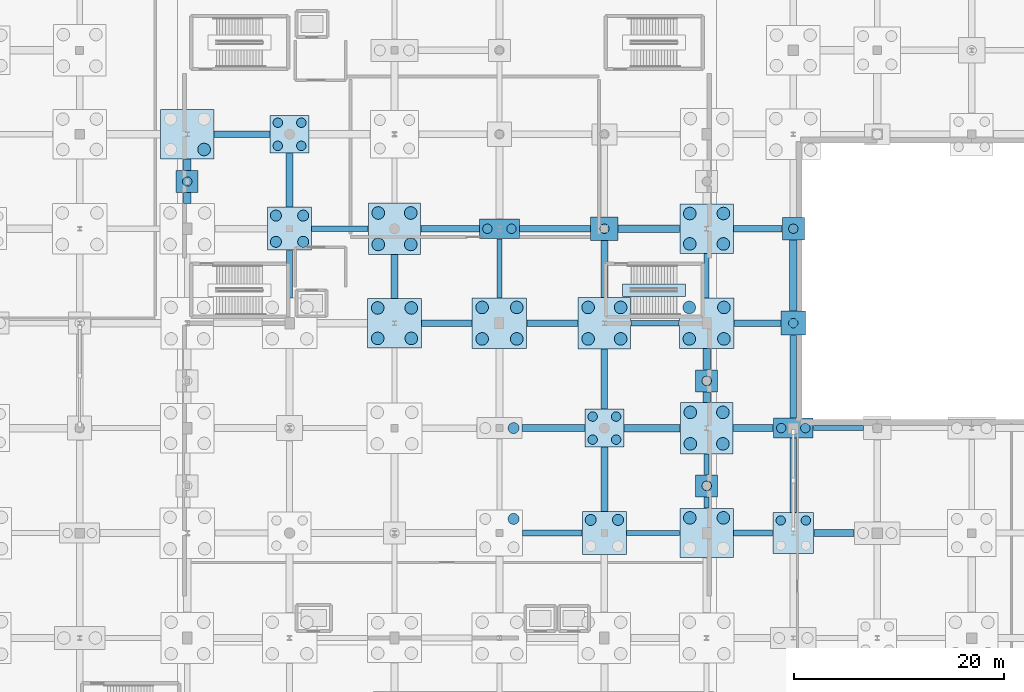
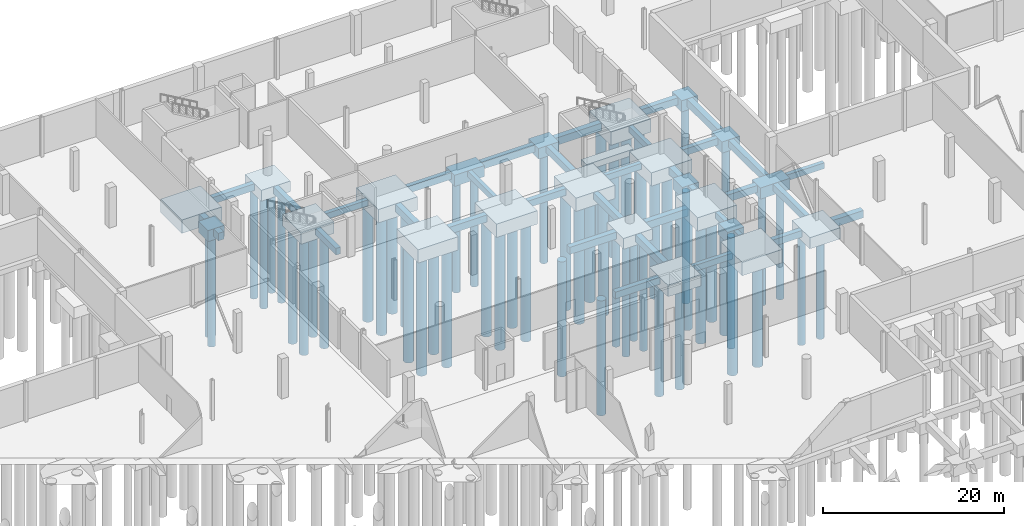
# One storey, part 9 of 60: 59 piles, 58 footings.
"""IFC4 building model written with IfcOpenShell, lengths in metres."""

from ifc_helpers import new_model, si_unit, direction, frame, origin, origin_2d, place, context, subcontext, project, spatial, rectangle, circle, extrude, material, material_profile, profile_set, type_object, element, save


model = new_model("IFC4")

# Units and contexts
model_context = context("Model", 3, precision=1e-05, world=origin(), true_north=direction((0.0, 1.0)))
body_context = subcontext(model_context, "Body", "Model", "MODEL_VIEW")
ifc_project = project(units=[si_unit("LENGTHUNIT", "METRE"), si_unit("AREAUNIT", "SQUARE_METRE"), si_unit("VOLUMEUNIT", "CUBIC_METRE"), si_unit("PLANEANGLEUNIT", "RADIAN"), si_unit("MASSUNIT", "GRAM", prefix="KILO")], contexts=[model_context])

# Site, building, storey
site_placement = place(None, origin())
site = spatial("IfcSite", under=ifc_project, at=site_placement, CompositionType="ELEMENT")
building_placement = place(site_placement, origin())
building = spatial("IfcBuilding", under=site, at=building_placement, Name="Trimount Lyric Opera House", CompositionType="ELEMENT")
storey_placement = place(building_placement, frame((0.0, 0.0, -5.39990234375)))
storey = spatial("IfcBuildingStorey", under=building, at=storey_placement, Name="B1", CompositionType="ELEMENT", Elevation=-5.39990234375)

# Footings
ifc_material_1 = material(Name="Concrete C40/50", Category="concrete")
footing_type_1 = type_object("IfcFootingType", Name="FB-01", PredefinedType="FOOTING_BEAM", material=ifc_material_1)
footing_1_placement = place(storey_placement, frame((64.260009765625, 95.925048828125, -1.60009765625), z_axis=(0.0, 0.0, 1.0), x_axis=(1.0, 0.0, 0.0)))
element("IfcFooting", 1, at=footing_1_placement, inside=storey, type_object=footing_type_1, Name="Ground tie beam Y-0164 seg 1", PredefinedType="FOOTING_BEAM", context=body_context, shape_type="SweptSolid", body=[
    extrude(rectangle(XDim=0.699951171875, YDim=1.02001953125, at=origin_2d()), origin(), (0.0, 0.0, 1.0), 1.0),
])
footing_2_placement = place(storey_placement, frame((64.260009765625, 99.10009765625, -1.60009765625), z_axis=(0.0, 0.0, 1.0), x_axis=(1.0, 0.0, 0.0)))
element("IfcFooting", 2, at=footing_2_placement, inside=storey, type_object=footing_type_1, Name="Ground tie beam Y-0164 seg 2", PredefinedType="FOOTING_BEAM", context=body_context, shape_type="SweptSolid", body=[
    extrude(rectangle(XDim=0.699951171875, YDim=1.070068359375, at=origin_2d()), origin(), (0.0, 0.0, 1.0), 1.0),
])
footing_3_placement = place(storey_placement, frame((84.0, 88.449951171875, -1.60009765625), z_axis=(0.0, 0.0, 1.0), x_axis=(1.0, 0.0, 0.0)))
element("IfcFooting", 3, at=footing_3_placement, inside=storey, type_object=footing_type_1, Name="Ground tie beam Y-0208", PredefinedType="FOOTING_BEAM", context=body_context, shape_type="SweptSolid", body=[
    extrude(rectangle(XDim=0.699951171875, YDim=4.169921875, at=origin_2d()), origin(), (0.0, 0.0, 1.0), 1.0),
])
footing_4_placement = place(storey_placement, frame((108.544921875, 74.0, -1.60009765625), z_axis=(0.0, 0.0, 1.0), x_axis=(1.0, 0.0, 0.0)))
element("IfcFooting", 4, at=footing_4_placement, inside=storey, type_object=footing_type_1, Name="Ground tie beam X-0256", PredefinedType="FOOTING_BEAM", context=body_context, shape_type="SweptSolid", body=[
    extrude(rectangle(XDim=5.360107421875, YDim=0.699951171875, at=origin_2d()), origin(), (0.0, 0.0, 1.0), 1.0),
])
footing_5_placement = place(storey_placement, frame((108.2451171875, 93.0, -1.60009765625), z_axis=(0.0, 0.0, 1.0), x_axis=(1.0, 0.0, 0.0)))
element("IfcFooting", 5, at=footing_5_placement, inside=storey, type_object=footing_type_1, Name="Ground tie beam X-0260", PredefinedType="FOOTING_BEAM", context=body_context, shape_type="SweptSolid", body=[
    extrude(rectangle(XDim=5.860107421875, YDim=0.699951171875, at=origin_2d()), origin(), (0.0, 0.0, 1.0), 1.0),
])
footing_6_placement = place(storey_placement, frame((113.739990234375, 76.949951171875, -1.60009765625), z_axis=(0.0, 0.0, 1.0), x_axis=(1.0, 0.0, 0.0)))
element("IfcFooting", 6, at=footing_6_placement, inside=storey, type_object=footing_type_1, Name="Ground tie beam Y-0280 seg 1", PredefinedType="FOOTING_BEAM", context=body_context, shape_type="SweptSolid", body=[
    extrude(rectangle(XDim=0.699951171875, YDim=0.969970703125, at=origin_2d()), origin(), (0.0, 0.0, 1.0), 1.0),
])
footing_7_placement = place(storey_placement, frame((113.739990234375, 80.574951171875, -1.60009765625), z_axis=(0.0, 0.0, 1.0), x_axis=(1.0, 0.0, 0.0)))
element("IfcFooting", 7, at=footing_7_placement, inside=storey, type_object=footing_type_1, Name="Ground tie beam Y-0280 seg 2", PredefinedType="FOOTING_BEAM", context=body_context, shape_type="SweptSolid", body=[
    extrude(rectangle(XDim=0.699951171875, YDim=2.02001953125, at=origin_2d()), origin(), (0.0, 0.0, 1.0), 1.0),
])
footing_8_placement = place(storey_placement, frame((125.887451171875, 64.0, -1.60009765625), z_axis=(0.0, 0.0, 1.0), x_axis=(1.0, 0.0, 0.0)))
element("IfcFooting", 8, at=footing_8_placement, inside=storey, type_object=footing_type_1, Name="Ground tie beam X-0300", PredefinedType="FOOTING_BEAM", context=body_context, shape_type="SweptSolid", body=[
    extrude(rectangle(XDim=3.844970703125, YDim=0.699951171875, at=origin_2d()), origin(), (0.0, 0.0, 1.0), 1.0),
])
footing_9_placement = place(storey_placement, frame((122.0, 88.550048828125, -1.60009765625), z_axis=(0.0, 0.0, 1.0), x_axis=(1.0, 0.0, 0.0)))
element("IfcFooting", 9, at=footing_9_placement, inside=storey, type_object=footing_type_1, Name="Ground tie beam Y-0304", PredefinedType="FOOTING_BEAM", context=body_context, shape_type="SweptSolid", body=[
    extrude(rectangle(XDim=0.699951171875, YDim=6.77001953125, at=origin_2d()), origin(), (0.0, 0.0, 1.0), 1.0),
])
ifc_material_2 = material(Name="Concrete C40/50", Category="concrete")
footing_type_2 = type_object("IfcFootingType", Name="FB-02", PredefinedType="FOOTING_BEAM", material=ifc_material_2)
footing_10_placement = place(storey_placement, frame((69.47998046875, 102.0, -1.5), z_axis=(0.0, 0.0, 1.0), x_axis=(1.0, 0.0, 0.0)))
element("IfcFooting", 10, at=footing_10_placement, inside=storey, type_object=footing_type_2, Name="Ground tie beam X-0165", PredefinedType="FOOTING_BEAM", context=body_context, shape_type="SweptSolid", body=[
    extrude(rectangle(XDim=5.31005859375, YDim=0.60009765625, at=origin_2d()), origin(), (0.0, 0.0, 1.0), 0.89990234375),
])
footing_11_placement = place(storey_placement, frame((74.0, 88.675048828125, -1.5), z_axis=(0.0, 0.0, 1.0), x_axis=(1.0, 0.0, 0.0)))
element("IfcFooting", 11, at=footing_11_placement, inside=storey, type_object=footing_type_2, Name="Ground tie beam Y-0185", PredefinedType="FOOTING_BEAM", context=body_context, shape_type="SweptSolid", body=[
    extrude(rectangle(XDim=0.60009765625, YDim=4.52001953125, at=origin_2d()), origin(), (0.0, 0.0, 1.0), 0.89990234375),
])
footing_12_placement = place(storey_placement, frame((89.300048828125, 93.0, -1.5), z_axis=(0.0, 0.0, 1.0), x_axis=(1.0, 0.0, 0.0)))
element("IfcFooting", 12, at=footing_12_placement, inside=storey, type_object=footing_type_2, Name="Ground tie beam X-0209", PredefinedType="FOOTING_BEAM", context=body_context, shape_type="SweptSolid", body=[
    extrude(rectangle(XDim=5.570068359375, YDim=0.60009765625, at=origin_2d()), origin(), (0.0, 0.0, 1.0), 0.89990234375),
])
footing_13_placement = place(storey_placement, frame((99.050048828125, 64.0, -1.5), z_axis=(0.0, 0.0, 1.0), x_axis=(1.0, 0.0, 0.0)))
element("IfcFooting", 13, at=footing_13_placement, inside=storey, type_object=footing_type_2, Name="Ground tie beam X-0229", PredefinedType="FOOTING_BEAM", context=body_context, shape_type="SweptSolid", body=[
    extrude(rectangle(XDim=5.669921875, YDim=0.60009765625, at=origin_2d()), origin(), (0.0, 0.0, 1.0), 0.89990234375),
])
footing_14_placement = place(storey_placement, frame((99.050048828125, 84.0, -1.5), z_axis=(0.0, 0.0, 1.0), x_axis=(1.0, 0.0, 0.0)))
element("IfcFooting", 14, at=footing_14_placement, inside=storey, type_object=footing_type_2, Name="Ground tie beam X-0233", PredefinedType="FOOTING_BEAM", context=body_context, shape_type="SweptSolid", body=[
    extrude(rectangle(XDim=4.8701171875, YDim=0.60009765625, at=origin_2d()), origin(), (0.0, 0.0, 1.0), 0.89990234375),
])
footing_15_placement = place(storey_placement, frame((104.0, 78.675048828125, -1.5), z_axis=(0.0, 0.0, 1.0), x_axis=(1.0, 0.0, 0.0)))
element("IfcFooting", 15, at=footing_15_placement, inside=storey, type_object=footing_type_2, Name="Ground tie beam Y-0257", PredefinedType="FOOTING_BEAM", context=body_context, shape_type="SweptSolid", body=[
    extrude(rectangle(XDim=0.60009765625, YDim=5.719970703125, at=origin_2d()), origin(), (0.0, 0.0, 1.0), 0.89990234375),
])
footing_16_placement = place(storey_placement, frame((118.169921875, 64.0, -1.5), z_axis=(0.0, 0.0, 1.0), x_axis=(1.0, 0.0, 0.0)))
element("IfcFooting", 16, at=footing_16_placement, inside=storey, type_object=footing_type_2, Name="Ground tie beam X-0277", PredefinedType="FOOTING_BEAM", context=body_context, shape_type="SweptSolid", body=[
    extrude(rectangle(XDim=3.72998046875, YDim=0.60009765625, at=origin_2d()), origin(), (0.0, 0.0, 1.0), 0.89990234375),
])
footing_17_placement = place(storey_placement, frame((118.594970703125, 84.0, -1.5), z_axis=(0.0, 0.0, 1.0), x_axis=(1.0, 0.0, 0.0)))
element("IfcFooting", 17, at=footing_17_placement, inside=storey, type_object=footing_type_2, Name="Ground tie beam X-0281", PredefinedType="FOOTING_BEAM", context=body_context, shape_type="SweptSolid", body=[
    extrude(rectangle(XDim=4.47998046875, YDim=0.60009765625, at=origin_2d()), origin(), (0.0, 0.0, 1.0), 0.89990234375),
])
footing_18_placement = place(storey_placement, frame((122.0, 69.5, -1.5), z_axis=(0.0, 0.0, 1.0), x_axis=(1.0, 0.0, 0.0)))
element("IfcFooting", 18, at=footing_18_placement, inside=storey, type_object=footing_type_2, Name="Ground tie beam Y-0301", PredefinedType="FOOTING_BEAM", context=body_context, shape_type="SweptSolid", body=[
    extrude(rectangle(XDim=0.60009765625, YDim=7.070068359375, at=origin_2d()), origin(), (0.0, 0.0, 1.0), 0.89990234375),
])
ifc_material_3 = material(Name="Concrete C40/50", Category="concrete")
footing_type_3 = type_object("IfcFootingType", Name="FB-03", PredefinedType="FOOTING_BEAM", material=ifc_material_3)
footing_19_placement = place(storey_placement, frame((78.800048828125, 93.0, -1.39990234375), z_axis=(0.0, 0.0, 1.0), x_axis=(1.0, 0.0, 0.0)))
element("IfcFooting", 19, at=footing_19_placement, inside=storey, type_object=footing_type_3, Name="Ground tie beam X-0186", PredefinedType="FOOTING_BEAM", context=body_context, shape_type="SweptSolid", body=[
    extrude(rectangle(XDim=5.3701171875, YDim=0.5, at=origin_2d()), origin(), (0.0, 0.0, 1.0), 0.800048828125),
])
footing_20_placement = place(storey_placement, frame((94.0, 89.22509765625, -1.39990234375), z_axis=(0.0, 0.0, 1.0), x_axis=(1.0, 0.0, 0.0)))
element("IfcFooting", 20, at=footing_20_placement, inside=storey, type_object=footing_type_3, Name="Ground tie beam Y-0234", PredefinedType="FOOTING_BEAM", context=body_context, shape_type="SweptSolid", body=[
    extrude(rectangle(XDim=0.5, YDim=5.6201171875, at=origin_2d()), origin(), (0.0, 0.0, 1.0), 0.800048828125),
])
footing_21_placement = place(storey_placement, frame((108.64501953125, 64.0, -1.39990234375), z_axis=(0.0, 0.0, 1.0), x_axis=(1.0, 0.0, 0.0)))
element("IfcFooting", 21, at=footing_21_placement, inside=storey, type_object=footing_type_3, Name="Ground tie beam X-0254", PredefinedType="FOOTING_BEAM", context=body_context, shape_type="SweptSolid", body=[
    extrude(rectangle(XDim=5.06005859375, YDim=0.5, at=origin_2d()), origin(), (0.0, 0.0, 1.0), 0.800048828125),
])
footing_22_placement = place(storey_placement, frame((108.820068359375, 84.0, -1.39990234375), z_axis=(0.0, 0.0, 1.0), x_axis=(1.0, 0.0, 0.0)))
element("IfcFooting", 22, at=footing_22_placement, inside=storey, type_object=footing_type_3, Name="Ground tie beam X-0258", PredefinedType="FOOTING_BEAM", context=body_context, shape_type="SweptSolid", body=[
    extrude(rectangle(XDim=4.610107421875, YDim=0.5, at=origin_2d()), origin(), (0.0, 0.0, 1.0), 0.800048828125),
])
footing_23_placement = place(storey_placement, frame((113.739990234375, 66.89990234375, -1.39990234375), z_axis=(0.0, 0.0, 1.0), x_axis=(1.0, 0.0, 0.0)))
element("IfcFooting", 23, at=footing_23_placement, inside=storey, type_object=footing_type_3, Name="Ground tie beam Y-0278 seg 1", PredefinedType="FOOTING_BEAM", context=body_context, shape_type="SweptSolid", body=[
    extrude(rectangle(XDim=0.5, YDim=1.070068359375, at=origin_2d()), origin(), (0.0, 0.0, 1.0), 0.800048828125),
])
footing_24_placement = place(storey_placement, frame((113.739990234375, 70.550048828125, -1.39990234375), z_axis=(0.0, 0.0, 1.0), x_axis=(1.0, 0.0, 0.0)))
element("IfcFooting", 24, at=footing_24_placement, inside=storey, type_object=footing_type_3, Name="Ground tie beam Y-0278 seg 2", PredefinedType="FOOTING_BEAM", context=body_context, shape_type="SweptSolid", body=[
    extrude(rectangle(XDim=0.5, YDim=1.969970703125, at=origin_2d()), origin(), (0.0, 0.0, 1.0), 0.800048828125),
])
footing_25_placement = place(storey_placement, frame((113.739990234375, 88.52490234375, -1.39990234375), z_axis=(0.0, 0.0, 1.0), x_axis=(1.0, 0.0, 0.0)))
element("IfcFooting", 25, at=footing_25_placement, inside=storey, type_object=footing_type_3, Name="Ground tie beam Y-0282", PredefinedType="FOOTING_BEAM", context=body_context, shape_type="SweptSolid", body=[
    extrude(rectangle(XDim=0.5, YDim=4.219970703125, at=origin_2d()), origin(), (0.0, 0.0, 1.0), 0.800048828125),
])
footing_26_placement = place(storey_placement, frame((126.300048828125, 74.0, -1.39990234375), z_axis=(0.0, 0.0, 1.0), x_axis=(1.0, 0.0, 0.0)))
element("IfcFooting", 26, at=footing_26_placement, inside=storey, type_object=footing_type_3, Name="Ground tie beam X-0302", PredefinedType="FOOTING_BEAM", context=body_context, shape_type="SweptSolid", body=[
    extrude(rectangle(XDim=4.77001953125, YDim=0.5, at=origin_2d()), origin(), (0.0, 0.0, 1.0), 0.800048828125),
])
ifc_material_4 = material(Name="Concrete C40/50", Category="concrete")
footing_type_4 = type_object("IfcFootingType", Name="FB-04", PredefinedType="FOOTING_BEAM", material=ifc_material_4)
footing_27_placement = place(storey_placement, frame((74.0, 97.625, -1.55029296875), z_axis=(0.0, 0.0, 1.0), x_axis=(1.0, 0.0, 0.0)))
element("IfcFooting", 27, at=footing_27_placement, inside=storey, type_object=footing_type_4, Name="Ground tie beam Y-0187", PredefinedType="FOOTING_BEAM", context=body_context, shape_type="SweptSolid", body=[
    extrude(rectangle(XDim=0.64990234375, YDim=5.1201171875, at=origin_2d()), origin(), (0.0, 0.0, 1.0), 0.949951171875),
])
footing_28_placement = place(storey_placement, frame((88.97509765625, 84.0, -1.55029296875), z_axis=(0.0, 0.0, 1.0), x_axis=(1.0, 0.0, 0.0)))
element("IfcFooting", 28, at=footing_28_placement, inside=storey, type_object=footing_type_4, Name="Ground tie beam X-0207", PredefinedType="FOOTING_BEAM", context=body_context, shape_type="SweptSolid", body=[
    extrude(rectangle(XDim=4.820068359375, YDim=0.64990234375, at=origin_2d()), origin(), (0.0, 0.0, 1.0), 0.949951171875),
])
footing_29_placement = place(storey_placement, frame((99.14990234375, 74.0, -1.55029296875), z_axis=(0.0, 0.0, 1.0), x_axis=(1.0, 0.0, 0.0)))
element("IfcFooting", 29, at=footing_29_placement, inside=storey, type_object=footing_type_4, Name="Ground tie beam X-0231", PredefinedType="FOOTING_BEAM", context=body_context, shape_type="SweptSolid", body=[
    extrude(rectangle(XDim=5.969970703125, YDim=0.64990234375, at=origin_2d()), origin(), (0.0, 0.0, 1.0), 0.949951171875),
])
footing_30_placement = place(storey_placement, frame((99.300048828125, 93.0, -1.55029296875), z_axis=(0.0, 0.0, 1.0), x_axis=(1.0, 0.0, 0.0)))
element("IfcFooting", 30, at=footing_30_placement, inside=storey, type_object=footing_type_4, Name="Ground tie beam X-0235", PredefinedType="FOOTING_BEAM", context=body_context, shape_type="SweptSolid", body=[
    extrude(rectangle(XDim=6.77001953125, YDim=0.64990234375, at=origin_2d()), origin(), (0.0, 0.0, 1.0), 0.949951171875),
])
footing_31_placement = place(storey_placement, frame((104.0, 69.125, -1.55029296875), z_axis=(0.0, 0.0, 1.0), x_axis=(1.0, 0.0, 0.0)))
element("IfcFooting", 31, at=footing_31_placement, inside=storey, type_object=footing_type_4, Name="Ground tie beam Y-0255", PredefinedType="FOOTING_BEAM", context=body_context, shape_type="SweptSolid", body=[
    extrude(rectangle(XDim=0.64990234375, YDim=6.1201171875, at=origin_2d()), origin(), (0.0, 0.0, 1.0), 0.949951171875),
])
footing_32_placement = place(storey_placement, frame((104.0, 89.175048828125, -1.55029296875), z_axis=(0.0, 0.0, 1.0), x_axis=(1.0, 0.0, 0.0)))
element("IfcFooting", 32, at=footing_32_placement, inside=storey, type_object=footing_type_4, Name="Ground tie beam Y-0259", PredefinedType="FOOTING_BEAM", context=body_context, shape_type="SweptSolid", body=[
    extrude(rectangle(XDim=0.64990234375, YDim=5.419921875, at=origin_2d()), origin(), (0.0, 0.0, 1.0), 0.949951171875),
])
footing_33_placement = place(storey_placement, frame((118.169921875, 74.0, -1.55029296875), z_axis=(0.0, 0.0, 1.0), x_axis=(1.0, 0.0, 0.0)))
element("IfcFooting", 33, at=footing_33_placement, inside=storey, type_object=footing_type_4, Name="Ground tie beam X-0279", PredefinedType="FOOTING_BEAM", context=body_context, shape_type="SweptSolid", body=[
    extrude(rectangle(XDim=3.830078125, YDim=0.64990234375, at=origin_2d()), origin(), (0.0, 0.0, 1.0), 0.949951171875),
])
footing_34_placement = place(storey_placement, frame((118.6201171875, 93.0, -1.55029296875), z_axis=(0.0, 0.0, 1.0), x_axis=(1.0, 0.0, 0.0)))
element("IfcFooting", 34, at=footing_34_placement, inside=storey, type_object=footing_type_4, Name="Ground tie beam X-0283", PredefinedType="FOOTING_BEAM", context=body_context, shape_type="SweptSolid", body=[
    extrude(rectangle(XDim=4.6298828125, YDim=0.64990234375, at=origin_2d()), origin(), (0.0, 0.0, 1.0), 0.949951171875),
])
footing_35_placement = place(storey_placement, frame((122.0, 78.89990234375, -1.55029296875), z_axis=(0.0, 0.0, 1.0), x_axis=(1.0, 0.0, 0.0)))
element("IfcFooting", 35, at=footing_35_placement, inside=storey, type_object=footing_type_4, Name="Ground tie beam Y-0303", PredefinedType="FOOTING_BEAM", context=body_context, shape_type="SweptSolid", body=[
    extrude(rectangle(XDim=0.64990234375, YDim=7.8701171875, at=origin_2d()), origin(), (0.0, 0.0, 1.0), 0.949951171875),
])
ifc_material_5 = material(Name="Concrete C40/50", Category="concrete")
footing_type_5 = type_object("IfcFootingType", Name="PC-06", PredefinedType="PILE_CAP", material=ifc_material_5)
footing_36_placement = place(storey_placement, frame((122.0, 64.0, -2.10009765625), z_axis=(0.0, 0.0, 1.0), x_axis=(1.0, 0.0, 0.0)))
element("IfcFooting", 36, at=footing_36_placement, inside=storey, type_object=footing_type_5, Name="Pile cap 14/H", PredefinedType="PILE_CAP", context=body_context, shape_type="SweptSolid", body=[
    extrude(rectangle(XDim=3.89990234375, YDim=3.89990234375, at=origin_2d()), origin(), (0.0, 0.0, 1.0), 1.5),
])
ifc_material_6 = material(Name="Concrete C40/50", Category="concrete")
footing_type_6 = type_object("IfcFootingType", Name="PC-07", PredefinedType="PILE_CAP", material=ifc_material_6)
for number, where, z_axis, x_axis, name in (
    (37, (94.0, 93.0, -2.10009765625), (0.0, 0.0, 1.0), (1.0, 0.0, 0.0), "Pile cap 11/L"),
    (38, (122.0, 74.0, -2.10009765625), (0.0, 0.0, 1.0), (1.0, 0.0, 0.0), "Pile cap 14/J"),
):
    element("IfcFooting", number, at=place(storey_placement, frame(where, z_axis=z_axis, x_axis=x_axis)), inside=storey, type_object=footing_type_6, Name=name, PredefinedType="PILE_CAP", context=body_context, shape_type="SweptSolid", body=[
        extrude(rectangle(XDim=3.800048828125, YDim=1.89990234375, at=origin_2d()), origin(), (0.0, 0.0, 1.0), 1.5),
    ])
ifc_material_7 = material(Name="Concrete C40/50", Category="concrete")
footing_type_7 = type_object("IfcFootingType", Name="PC-08", PredefinedType="PILE_CAP", material=ifc_material_7)
footing_37_placement = place(storey_placement, frame((122.0, 84.0, -2.10009765625), z_axis=(0.0, 0.0, 1.0), x_axis=(1.0, 0.0, 0.0)))
element("IfcFooting", 39, at=footing_37_placement, inside=storey, type_object=footing_type_7, Name="Pile cap 14/K", PredefinedType="PILE_CAP", context=body_context, shape_type="SweptSolid", body=[
    extrude(rectangle(XDim=2.300048828125, YDim=2.300048828125, at=origin_2d()), origin(), (0.0, 0.0, 1.0), 1.5),
])
ifc_material_8 = material(Name="Concrete C40/50", Category="concrete")
footing_type_8 = type_object("IfcFootingType", Name="PC-09", PredefinedType="PILE_CAP", material=ifc_material_8)
for number, where, z_axis, x_axis, name in (
    (40, (122.0, 93.0, -2.10009765625), (0.0, 0.0, 1.0), (1.0, 0.0, 0.0), "Pile cap 14/L"),
    (41, (113.75, 68.5, -2.10009765625), (0.0, 0.0, 1.0), (1.0, 0.0, 0.0), "Pilaster pile cap E01"),
    (42, (113.75, 78.5, -2.10009765625), (0.0, 0.0, 1.0), (1.0, 0.0, 0.0), "Pilaster pile cap E02"),
    (43, (64.25, 97.5, -2.10009765625), (0.0, 0.0, 1.0), (1.0, 0.0, 0.0), "Pilaster pile cap W04"),
):
    element("IfcFooting", number, at=place(storey_placement, frame(where, z_axis=z_axis, x_axis=x_axis)), inside=storey, type_object=footing_type_8, Name=name, PredefinedType="PILE_CAP", context=body_context, shape_type="SweptSolid", body=[
        extrude(rectangle(XDim=2.10009765625, YDim=2.10009765625, at=origin_2d()), origin(), (0.0, 0.0, 1.0), 1.5),
    ])
ifc_material_9 = material(Name="Concrete C40/50", Category="concrete")
footing_type_9 = type_object("IfcFootingType", Name="PC-10", PredefinedType="PILE_CAP", material=ifc_material_9)
for number, where, z_axis, x_axis, name in (
    (44, (94.0, 84.0, -2.39990234375), (0.0, 0.0, 1.0), (1.0, 0.0, 0.0), "Pile cap 11/K"),
    (45, (113.739990234375, 84.0, -2.39990234375), (0.0, 0.0, 1.0), (1.0, 0.0, 0.0), "Pile cap 13/K"),
):
    element("IfcFooting", number, at=place(storey_placement, frame(where, z_axis=z_axis, x_axis=x_axis)), inside=storey, type_object=footing_type_9, Name=name, PredefinedType="PILE_CAP", context=body_context, shape_type="SweptSolid", body=[
        extrude(rectangle(XDim=5.199951171875, YDim=4.800048828125, at=origin_2d()), origin(), (0.0, 0.0, 1.0), 1.800048828125),
    ])
ifc_material_10 = material(Name="Concrete C40/50", Category="concrete")
footing_type_10 = type_object("IfcFootingType", Name="PC-11", PredefinedType="PILE_CAP", material=ifc_material_10)
for number, where, z_axis, x_axis, name in (
    (46, (64.260009765625, 102.0, -2.39990234375), (0.0, 0.0, 1.0), (1.0, 0.0, 0.0), "Pile cap 8/M"),
    (47, (84.0, 84.0, -2.39990234375), (0.0, 0.0, 1.0), (1.0, 0.0, 0.0), "Pile cap 10/K"),
    (48, (113.739990234375, 64.0, -2.39990234375), (0.0, 0.0, 1.0), (1.0, 0.0, 0.0), "Pile cap 13/H"),
    (49, (113.739990234375, 93.0, -2.39990234375), (0.0, 0.0, 1.0), (1.0, 0.0, 0.0), "Pile cap 13/L"),
):
    element("IfcFooting", number, at=place(storey_placement, frame(where, z_axis=z_axis, x_axis=x_axis)), inside=storey, type_object=footing_type_10, Name=name, PredefinedType="PILE_CAP", context=body_context, shape_type="SweptSolid", body=[
        extrude(rectangle(XDim=5.10009765625, YDim=4.699951171875, at=origin_2d()), origin(), (0.0, 0.0, 1.0), 1.800048828125),
    ])
ifc_material_11 = material(Name="Concrete C40/50", Category="concrete")
footing_type_11 = type_object("IfcFootingType", Name="PC-12", PredefinedType="PILE_CAP", material=ifc_material_11)
for number, where, z_axis, x_axis, name in (
    (50, (84.0, 93.0, -2.39990234375), (0.0, 0.0, 1.0), (1.0, 0.0, 0.0), "Pile cap 10/L"),
    (51, (104.0, 84.0, -2.39990234375), (0.0, 0.0, 1.0), (1.0, 0.0, 0.0), "Pile cap 12/K"),
    (52, (113.739990234375, 74.0, -2.39990234375), (0.0, 0.0, 1.0), (1.0, 0.0, 0.0), "Pile cap 13/J"),
):
    element("IfcFooting", number, at=place(storey_placement, frame(where, z_axis=z_axis, x_axis=x_axis)), inside=storey, type_object=footing_type_11, Name=name, PredefinedType="PILE_CAP", context=body_context, shape_type="SweptSolid", body=[
        extrude(rectangle(XDim=5.0, YDim=4.89990234375, at=origin_2d()), origin(), (0.0, 0.0, 1.0), 1.800048828125),
    ])
ifc_material_12 = material(Name="Concrete C40/50", Category="concrete")
footing_type_12 = type_object("IfcFootingType", Name="PC-18", PredefinedType="PILE_CAP", material=ifc_material_12)
for number, where, z_axis, x_axis, name in (
    (53, (74.0, 93.0, -2.14990234375), (0.0, 0.0, 1.0), (1.0, 0.0, 0.0), "Pile cap 9/L"),
    (54, (104.0, 64.0, -2.14990234375), (0.0, 0.0, 1.0), (1.0, 0.0, 0.0), "Pile cap 12/H"),
):
    element("IfcFooting", number, at=place(storey_placement, frame(where, z_axis=z_axis, x_axis=x_axis)), inside=storey, type_object=footing_type_12, Name=name, PredefinedType="PILE_CAP", context=body_context, shape_type="SweptSolid", body=[
        extrude(rectangle(XDim=4.199951171875, YDim=4.10009765625, at=origin_2d()), origin(), (0.0, 0.0, 1.0), 1.550048828125),
    ])
ifc_material_13 = material(Name="Concrete C40/50", Category="concrete")
footing_type_13 = type_object("IfcFootingType", Name="PC-19", PredefinedType="PILE_CAP", material=ifc_material_13)
for number, where, z_axis, x_axis, name in (
    (55, (74.0, 102.0, -2.05029296875), (0.0, 0.0, 1.0), (1.0, 0.0, 0.0), "Pile cap 9/M"),
    (56, (104.0, 74.0, -2.05029296875), (0.0, 0.0, 1.0), (1.0, 0.0, 0.0), "Pile cap 12/J"),
):
    element("IfcFooting", number, at=place(storey_placement, frame(where, z_axis=z_axis, x_axis=x_axis)), inside=storey, type_object=footing_type_13, Name=name, PredefinedType="PILE_CAP", context=body_context, shape_type="SweptSolid", body=[
        extrude(rectangle(XDim=3.699951171875, YDim=3.60009765625, at=origin_2d()), origin(), (0.0, 0.0, 1.0), 1.449951171875),
    ])
ifc_material_14 = material(Name="Concrete C40/50", Category="concrete")
footing_type_14 = type_object("IfcFootingType", Name="PC-21", PredefinedType="PILE_CAP", material=ifc_material_14)
footing_38_placement = place(storey_placement, frame((104.0, 93.0, -2.05029296875), z_axis=(0.0, 0.0, 1.0), x_axis=(1.0, 0.0, 0.0)))
element("IfcFooting", 57, at=footing_38_placement, inside=storey, type_object=footing_type_14, Name="Pile cap 12/L", PredefinedType="PILE_CAP", context=body_context, shape_type="SweptSolid", body=[
    extrude(rectangle(XDim=2.60009765625, YDim=2.199951171875, at=origin_2d()), origin(), (0.0, 0.0, 1.0), 1.449951171875),
])

# Piles
ifc_material_15 = material(Name="Concrete C40/50", Category="concrete")
ifc_material_profile_1 = material_profile(ifc_material_15, circle(Radius=0.52490234375, at=origin_2d()), Name="PILE-D1050")
ifc_profile_set_1 = profile_set([ifc_material_profile_1], Name="Concrete C40/50")
pile_type_1 = type_object("IfcPileType", Name="PL-1050", PredefinedType="BORED", material=ifc_profile_set_1)
for number, where, z_axis, x_axis, name in (
    (58, (72.699951171875, 91.75, -2.050048828125), (0.0, 0.0, -1.0), (1.0, 0.0, 0.0), "Bored pile 0326"),
    (59, (75.300048828125, 91.75, -2.050048828125), (0.0, 0.0, -1.0), (1.0, 0.0, 0.0), "Bored pile 0327"),
    (60, (72.699951171875, 94.25, -2.050048828125), (0.0, 0.0, -1.0), (1.0, 0.0, 0.0), "Bored pile 0328"),
    (61, (75.300048828125, 94.25, -2.050048828125), (0.0, 0.0, -1.0), (1.0, 0.0, 0.0), "Bored pile 0329"),
    (62, (95.35009765625, 65.35009765625, -2.10009765625), (0.0, 0.0, -1.0), (1.0, 0.0, 0.0), "Bored pile 0402"),
    (63, (95.35009765625, 74.0, -2.10009765625), (0.0, 0.0, -1.0), (1.0, 0.0, 0.0), "Bored pile 0404"),
    (64, (102.699951171875, 65.25, -2.050048828125), (0.0, 0.0, -1.0), (1.0, 0.0, 0.0), "Bored pile 0442"),
    (65, (105.300048828125, 65.25, -2.050048828125), (0.0, 0.0, -1.0), (1.0, 0.0, 0.0), "Bored pile 0443"),
):
    element("IfcPile", number, at=place(storey_placement, frame(where, z_axis=z_axis, x_axis=x_axis)), inside=storey, type_object=pile_type_1, Name=name, PredefinedType="BORED", context=body_context, shape_type="SweptSolid", body=[
        extrude(circle(Radius=0.52490234375, at=origin_2d()), origin(), (0.0, 0.0, 1.0), 15.5),
    ])
ifc_material_16 = material(Name="Concrete C40/50", Category="concrete")
ifc_material_profile_2 = material_profile(ifc_material_16, circle(Radius=0.60009765625, at=origin_2d()), Name="PILE-D1200")
ifc_profile_set_2 = profile_set([ifc_material_profile_2], Name="Concrete C40/50")
pile_type_2 = type_object("IfcPileType", Name="PL-1200", PredefinedType="BORED", material=ifc_profile_set_2)
for number, where, z_axis, x_axis, name in (
    (66, (65.860107421875, 100.550048828125, -2.300048828125), (0.0, 0.0, -1.0), (1.0, 0.0, 0.0), "Bored pile 0288"),
    (67, (82.39990234375, 82.550048828125, -2.300048828125), (0.0, 0.0, -1.0), (1.0, 0.0, 0.0), "Bored pile 0361"),
    (68, (85.60009765625, 82.550048828125, -2.300048828125), (0.0, 0.0, -1.0), (1.0, 0.0, 0.0), "Bored pile 0362"),
    (69, (82.39990234375, 85.449951171875, -2.300048828125), (0.0, 0.0, -1.0), (1.0, 0.0, 0.0), "Bored pile 0363"),
    (70, (85.60009765625, 85.449951171875, -2.300048828125), (0.0, 0.0, -1.0), (1.0, 0.0, 0.0), "Bored pile 0364"),
    (71, (82.449951171875, 91.5, -2.300048828125), (0.0, 0.0, -1.0), (1.0, 0.0, 0.0), "Bored pile 0365"),
    (72, (85.550048828125, 91.5, -2.300048828125), (0.0, 0.0, -1.0), (1.0, 0.0, 0.0), "Bored pile 0366"),
    (73, (82.449951171875, 94.5, -2.300048828125), (0.0, 0.0, -1.0), (1.0, 0.0, 0.0), "Bored pile 0367"),
    (74, (85.550048828125, 94.5, -2.300048828125), (0.0, 0.0, -1.0), (1.0, 0.0, 0.0), "Bored pile 0368"),
    (75, (92.35009765625, 82.5, -2.300048828125), (0.0, 0.0, -1.0), (1.0, 0.0, 0.0), "Bored pile 0405"),
    (76, (95.64990234375, 82.5, -2.300048828125), (0.0, 0.0, -1.0), (1.0, 0.0, 0.0), "Bored pile 0406"),
    (77, (92.35009765625, 85.5, -2.300048828125), (0.0, 0.0, -1.0), (1.0, 0.0, 0.0), "Bored pile 0407"),
    (78, (95.64990234375, 85.5, -2.300048828125), (0.0, 0.0, -1.0), (1.0, 0.0, 0.0), "Bored pile 0408"),
    (79, (102.449951171875, 82.5, -2.300048828125), (0.0, 0.0, -1.0), (1.0, 0.0, 0.0), "Bored pile 0448"),
    (80, (105.550048828125, 82.5, -2.300048828125), (0.0, 0.0, -1.0), (1.0, 0.0, 0.0), "Bored pile 0449"),
    (81, (102.449951171875, 85.5, -2.300048828125), (0.0, 0.0, -1.0), (1.0, 0.0, 0.0), "Bored pile 0450"),
    (82, (105.550048828125, 85.5, -2.300048828125), (0.0, 0.0, -1.0), (1.0, 0.0, 0.0), "Bored pile 0451"),
    (83, (112.139892578125, 65.449951171875, -2.300048828125), (0.0, 0.0, -1.0), (1.0, 0.0, 0.0), "Bored pile 0478"),
    (84, (115.340087890625, 65.449951171875, -2.300048828125), (0.0, 0.0, -1.0), (1.0, 0.0, 0.0), "Bored pile 0479"),
    (85, (112.18994140625, 72.5, -2.300048828125), (0.0, 0.0, -1.0), (1.0, 0.0, 0.0), "Bored pile 0480"),
    (86, (115.2900390625, 72.5, -2.300048828125), (0.0, 0.0, -1.0), (1.0, 0.0, 0.0), "Bored pile 0481"),
    (87, (112.18994140625, 75.5, -2.300048828125), (0.0, 0.0, -1.0), (1.0, 0.0, 0.0), "Bored pile 0482"),
    (88, (115.2900390625, 75.5, -2.300048828125), (0.0, 0.0, -1.0), (1.0, 0.0, 0.0), "Bored pile 0483"),
    (89, (112.090087890625, 82.5, -2.300048828125), (0.0, 0.0, -1.0), (1.0, 0.0, 0.0), "Bored pile 0484"),
    (90, (115.389892578125, 82.5, -2.300048828125), (0.0, 0.0, -1.0), (1.0, 0.0, 0.0), "Bored pile 0485"),
    (91, (112.090087890625, 85.5, -2.300048828125), (0.0, 0.0, -1.0), (1.0, 0.0, 0.0), "Bored pile 0486"),
    (92, (115.389892578125, 85.5, -2.300048828125), (0.0, 0.0, -1.0), (1.0, 0.0, 0.0), "Bored pile 0487"),
    (93, (112.139892578125, 91.550048828125, -2.300048828125), (0.0, 0.0, -1.0), (1.0, 0.0, 0.0), "Bored pile 0488"),
    (94, (115.340087890625, 91.550048828125, -2.300048828125), (0.0, 0.0, -1.0), (1.0, 0.0, 0.0), "Bored pile 0489"),
    (95, (112.139892578125, 94.449951171875, -2.300048828125), (0.0, 0.0, -1.0), (1.0, 0.0, 0.0), "Bored pile 0490"),
    (96, (115.340087890625, 94.449951171875, -2.300048828125), (0.0, 0.0, -1.0), (1.0, 0.0, 0.0), "Bored pile 0491"),
):
    element("IfcPile", number, at=place(storey_placement, frame(where, z_axis=z_axis, x_axis=x_axis)), inside=storey, type_object=pile_type_2, Name=name, PredefinedType="BORED", context=body_context, shape_type="SweptSolid", body=[
        extrude(circle(Radius=0.60009765625, at=origin_2d()), origin(), (0.0, 0.0, 1.0), 15.800048828125),
    ])
ifc_material_17 = material(Name="Concrete C40/50", Category="concrete")
ifc_material_profile_3 = material_profile(ifc_material_17, circle(Radius=0.449951171875, at=origin_2d()), Name="PILE-D900")
ifc_profile_set_3 = profile_set([ifc_material_profile_3], Name="Concrete C40/50")
pile_type_3 = type_object("IfcPileType", Name="PL-900", PredefinedType="BORED", material=ifc_profile_set_3)
for number, where, z_axis, x_axis, name in (
    (97, (72.8798828125, 100.89990234375, -1.9501953125), (0.0, 0.0, -1.0), (1.0, 0.0, 0.0), "Bored pile 0330"),
    (98, (75.1201171875, 100.89990234375, -1.9501953125), (0.0, 0.0, -1.0), (1.0, 0.0, 0.0), "Bored pile 0331"),
    (99, (72.8798828125, 103.10009765625, -1.9501953125), (0.0, 0.0, -1.0), (1.0, 0.0, 0.0), "Bored pile 0332"),
    (100, (75.1201171875, 103.10009765625, -1.9501953125), (0.0, 0.0, -1.0), (1.0, 0.0, 0.0), "Bored pile 0333"),
    (101, (92.85009765625, 93.0, -2.0), (0.0, 0.0, -1.0), (1.0, 0.0, 0.0), "Bored pile 0409"),
    (102, (95.14990234375, 93.0, -2.0), (0.0, 0.0, -1.0), (1.0, 0.0, 0.0), "Bored pile 0410"),
    (103, (102.8798828125, 72.89990234375, -1.9501953125), (0.0, 0.0, -1.0), (1.0, 0.0, 0.0), "Bored pile 0444"),
    (104, (105.1201171875, 72.89990234375, -1.9501953125), (0.0, 0.0, -1.0), (1.0, 0.0, 0.0), "Bored pile 0445"),
    (105, (102.8798828125, 75.10009765625, -1.9501953125), (0.0, 0.0, -1.0), (1.0, 0.0, 0.0), "Bored pile 0446"),
    (106, (105.1201171875, 75.10009765625, -1.9501953125), (0.0, 0.0, -1.0), (1.0, 0.0, 0.0), "Bored pile 0447"),
    (107, (104.0, 93.0, -1.9501953125), (0.0, 0.0, -1.0), (1.0, 0.0, 0.0), "Bored pile 0452"),
    (108, (120.800048828125, 65.199951171875, -2.0), (0.0, 0.0, -1.0), (1.0, 0.0, 0.0), "Bored pile 0520"),
    (109, (123.199951171875, 65.199951171875, -2.0), (0.0, 0.0, -1.0), (1.0, 0.0, 0.0), "Bored pile 0521"),
    (110, (120.85009765625, 74.0, -2.0), (0.0, 0.0, -1.0), (1.0, 0.0, 0.0), "Bored pile 0522"),
    (111, (123.14990234375, 74.0, -2.0), (0.0, 0.0, -1.0), (1.0, 0.0, 0.0), "Bored pile 0523"),
    (112, (122.0, 84.0, -2.0), (0.0, 0.0, -1.0), (1.0, 0.0, 0.0), "Bored pile 0524"),
    (113, (122.0, 93.0, -2.0), (0.0, 0.0, -1.0), (1.0, 0.0, 0.0), "Bored pile 0525"),
    (114, (113.75, 68.5, -2.0), (0.0, 0.0, -1.0), (1.0, 0.0, 0.0), "Bored pile 0762"),
    (115, (113.75, 78.5, -2.0), (0.0, 0.0, -1.0), (1.0, 0.0, 0.0), "Bored pile 0764"),
    (116, (64.25, 97.5, -2.0), (0.0, 0.0, -1.0), (1.0, 0.0, 0.0), "Bored pile 0765"),
):
    element("IfcPile", number, at=place(storey_placement, frame(where, z_axis=z_axis, x_axis=x_axis)), inside=storey, type_object=pile_type_3, Name=name, PredefinedType="BORED", context=body_context, shape_type="SweptSolid", body=[
        extrude(circle(Radius=0.449951171875, at=origin_2d()), origin(), (0.0, 0.0, 1.0), 15.0),
    ])

# Footing
ifc_material_18 = material(Name="Concrete C40/50", Category="concrete")
footing_type_15 = type_object("IfcFootingType", Name="SF-02", PredefinedType="STRIP_FOOTING", material=ifc_material_18)
footing_39_placement = place(storey_placement, frame((108.75, 87.14990234375, -1.39990234375), z_axis=(0.0, 0.0, 1.0), x_axis=(1.0, 0.0, 0.0)))
element("IfcFooting", 117, at=footing_39_placement, inside=storey, type_object=footing_type_15, Name="Core strip footing SF-K4", PredefinedType="STRIP_FOOTING", context=body_context, shape_type="SweptSolid", body=[
    extrude(rectangle(XDim=6.0, YDim=1.199951171875, at=origin_2d()), origin(), (0.0, 0.0, 1.0), 0.800048828125),
])

save(model, "model.ifc")
